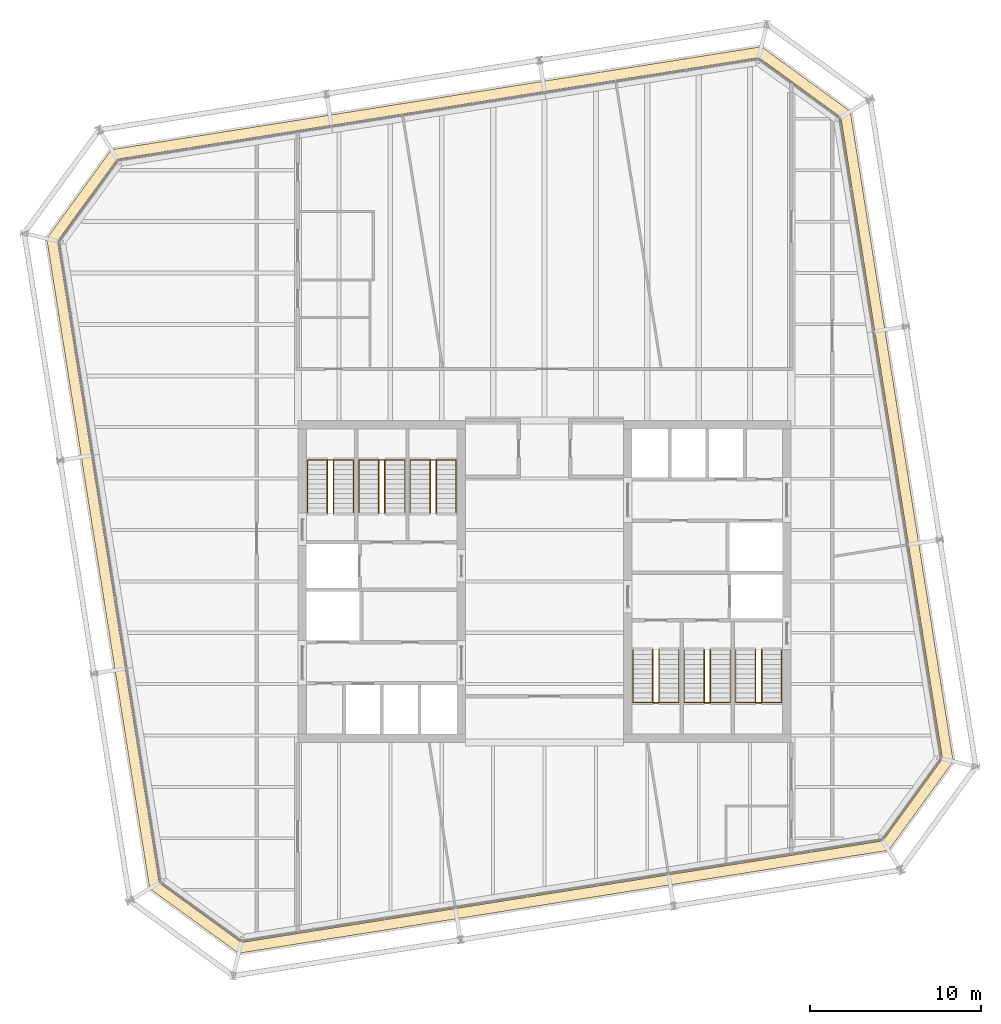
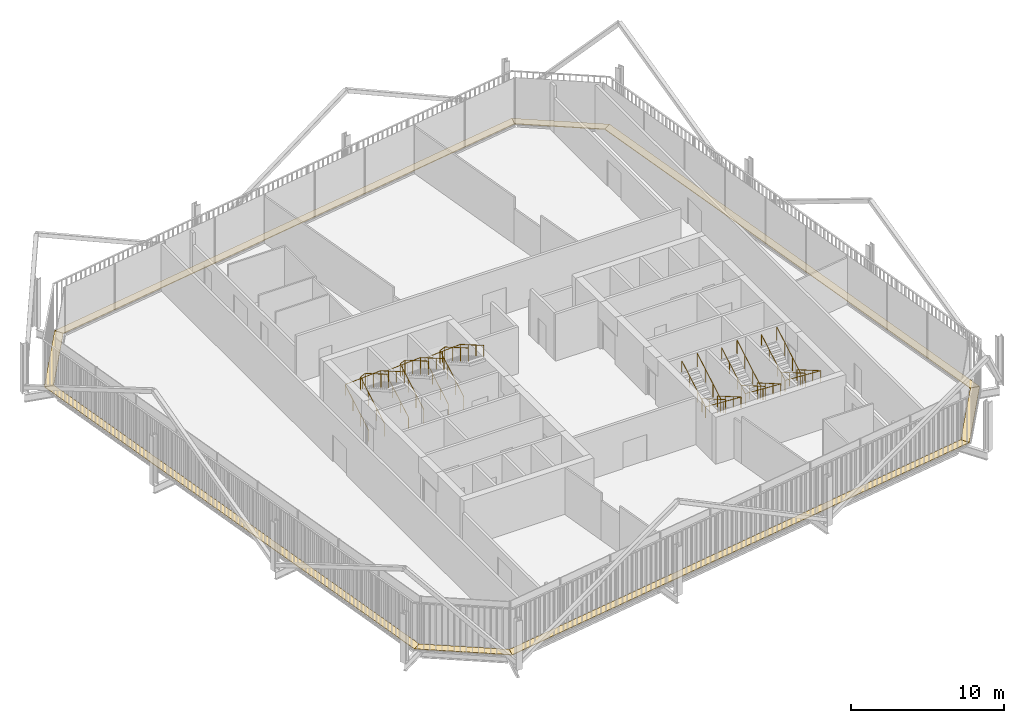
# One storey, part 21 of 21: 12 railings, 8 coverings.
"""IFC4 building model written with IfcOpenShell, lengths in metres."""

from ifc_helpers import new_model, si_unit, direction, frame, origin, origin_2d, place, context, subcontext, project, spatial, polyline, circle, outline, extrude, material, layer, layer_set, type_object, element, save


model = new_model("IFC4")

# Units and contexts
model_context = context("Model", 3, precision=1e-05, world=origin(), true_north=direction((0.0, 1.0)))
body_context = subcontext(model_context, "Body", "Model", "MODEL_VIEW")
ifc_project = project(units=[si_unit("LENGTHUNIT", "METRE"), si_unit("AREAUNIT", "SQUARE_METRE"), si_unit("VOLUMEUNIT", "CUBIC_METRE"), si_unit("PLANEANGLEUNIT", "RADIAN"), si_unit("MASSUNIT", "GRAM", prefix="KILO")], contexts=[model_context])

# Site, building, storey
site_placement = place(None, origin())
site = spatial("IfcSite", under=ifc_project, at=site_placement, CompositionType="ELEMENT")
building_placement = place(site_placement, origin())
building = spatial("IfcBuilding", under=site, at=building_placement, Name="Millrace Tower", CompositionType="ELEMENT")
storey_placement = place(building_placement, frame((0.0, 0.0, 228.10009765625)))
storey = spatial("IfcBuildingStorey", under=building, at=storey_placement, Name="L52", CompositionType="ELEMENT", Elevation=228.10009765625)

# Coverings
ifc_material_1 = material(Name="Steel ASTM A36", Category="steel")
ifc_layer = layer(ifc_material_1, 0.050048828125)
ifc_layer_set = layer_set([ifc_layer], Name="Steel ASTM A36")
covering_type = type_object("IfcCoveringType", Name="CAVITY CATWALK steel grating", PredefinedType="FLOORING", material=ifc_layer_set)
placement = place(storey_placement, frame((0.0, 0.0, 0.099853515625)))
element("IfcCovering", 1, at=placement, inside=storey, type_object=covering_type, Name="Cavity catwalk grating D-F01 L52 1", PredefinedType="FLOORING", context=body_context, shape_type="SweptSolid", body=[
    extrude(outline(polyline([(-23.052490234375, -17.939453125), (-17.85888671875, -21.712890625), (-17.707275390625, -21.081298828125), (-22.49853515625, -17.60009765625), (-23.052490234375, -17.939453125)])), origin(), (0.0, 0.0, 1.0), 0.050048828125),
])
element("IfcCovering", 2, at=placement, inside=storey, type_object=covering_type, Name="Cavity catwalk grating D-F02 L52 1", PredefinedType="FLOORING", context=body_context, shape_type="SweptSolid", body=[
    extrude(outline(polyline([(-17.85888671875, -21.712890625), (20.08935546875, -15.702392578125), (19.750244140625, -15.148681640625), (-17.707275390625, -21.081298828125), (-17.85888671875, -21.712890625)])), origin(), (0.0, 0.0, 1.0), 0.050048828125),
])
element("IfcCovering", 3, at=placement, inside=storey, type_object=covering_type, Name="Cavity catwalk grating D-F03 L52 1", PredefinedType="FLOORING", context=body_context, shape_type="SweptSolid", body=[
    extrude(outline(polyline([(20.08935546875, -15.702392578125), (23.86279296875, -10.5087890625), (23.231201171875, -10.357177734375), (19.750244140625, -15.148681640625), (20.08935546875, -15.702392578125)])), origin(), (0.0, 0.0, 1.0), 0.050048828125),
])
element("IfcCovering", 4, at=placement, inside=storey, type_object=covering_type, Name="Cavity catwalk grating D-F04 L52 1", PredefinedType="FLOORING", context=body_context, shape_type="SweptSolid", body=[
    extrude(outline(polyline([(23.86279296875, -10.5087890625), (17.852294921875, 27.439453125), (17.298583984375, 27.10009765625), (23.231201171875, -10.357177734375), (23.86279296875, -10.5087890625)])), origin(), (0.0, 0.0, 1.0), 0.050048828125),
])
element("IfcCovering", 5, at=placement, inside=storey, type_object=covering_type, Name="Cavity catwalk grating D-F05 L52 1", PredefinedType="FLOORING", context=body_context, shape_type="SweptSolid", body=[
    extrude(outline(polyline([(17.852294921875, 27.439453125), (12.658935546875, 31.212890625), (12.50732421875, 30.581298828125), (17.298583984375, 27.10009765625), (17.852294921875, 27.439453125)])), origin(), (0.0, 0.0, 1.0), 0.050048828125),
])
element("IfcCovering", 6, at=placement, inside=storey, type_object=covering_type, Name="Cavity catwalk grating D-F06 L52 1", PredefinedType="FLOORING", context=body_context, shape_type="SweptSolid", body=[
    extrude(outline(polyline([(12.658935546875, 31.212890625), (-25.28955078125, 25.202392578125), (-24.9501953125, 24.648681640625), (12.50732421875, 30.581298828125), (12.658935546875, 31.212890625)])), origin(), (0.0, 0.0, 1.0), 0.050048828125),
])
element("IfcCovering", 7, at=placement, inside=storey, type_object=covering_type, Name="Cavity catwalk grating D-F07 L52 1", PredefinedType="FLOORING", context=body_context, shape_type="SweptSolid", body=[
    extrude(outline(polyline([(-25.28955078125, 25.202392578125), (-29.062744140625, 20.0087890625), (-28.431396484375, 19.857177734375), (-24.9501953125, 24.648681640625), (-25.28955078125, 25.202392578125)])), origin(), (0.0, 0.0, 1.0), 0.050048828125),
])
element("IfcCovering", 8, at=placement, inside=storey, type_object=covering_type, Name="Cavity catwalk grating D-F08 L52 1", PredefinedType="FLOORING", context=body_context, shape_type="SweptSolid", body=[
    extrude(outline(polyline([(-29.062744140625, 20.0087890625), (-23.052490234375, -17.939453125), (-22.49853515625, -17.60009765625), (-28.431396484375, 19.857177734375), (-29.062744140625, 20.0087890625)])), origin(), (0.0, 0.0, 1.0), 0.050048828125),
])

# Railings
ifc_material_2 = material(Name="Stainless steel ASTM A240 type 316", Category="steel")
railing_type_1 = type_object("IfcRailingType", Name="Stair guard 1100", PredefinedType="GUARDRAIL", material=ifc_material_2)
for number, where, name in (
    (9, (-12.679931640625, 4.0, 0.162353515625), "Stair guard 1 W L52"),
    (10, (-9.679931640625, 4.0, 0.162353515625), "Stair guard 2 W L52"),
    (11, (-6.679931640625, 4.0, 0.162353515625), "Stair guard 3 W L52"),
):
    element("IfcRailing", number, at=place(storey_placement, frame(where)), inside=storey, type_object=railing_type_1, Name=name, PredefinedType="GUARDRAIL", context=body_context, shape_type="SweptSolid", body=[
        extrude(circle(Radius=0.02392578125, at=origin_2d()), frame((0.0, 0.0, 1.076171875), z_axis=(0.0, 0.864890721111, 0.501960198159), x_axis=(-1.0, 0.0, 0.0)), (0.0, 0.0, 1.0), 3.561279296875),
        extrude(circle(Radius=0.02392578125, at=origin_2d()), frame((0.0, 3.080078125, 2.86376953125), z_axis=(0.91152767309, 0.0, 0.411238739895), x_axis=(0.0, 1.0, 0.0)), (0.0, 0.0, 1.0), 0.394775390625),
        extrude(circle(Radius=0.02392578125, at=origin_2d()), frame((0.35986328125, 3.080078125, 3.02587890625), z_axis=(0.0, -0.864890721111, 0.501960198159), x_axis=(1.0, 0.0, 0.0)), (0.0, 0.0, 1.0), 3.561279296875),
        extrude(circle(Radius=0.02099609375, at=origin_2d()), origin(), (0.0, 0.0, 1.0), 1.052001953125),
        extrude(circle(Radius=0.02099609375, at=origin_2d()), frame((0.0, 1.026611328125, 0.595947265625)), (0.0, 0.0, 1.0), 1.052001953125),
        extrude(circle(Radius=0.02099609375, at=origin_2d()), frame((0.0, 2.053466796875, 1.191650390625)), (0.0, 0.0, 1.0), 1.052001953125),
        extrude(circle(Radius=0.02099609375, at=origin_2d()), frame((0.0, 3.080078125, 1.78759765625)), (0.0, 0.0, 1.0), 1.052001953125),
        extrude(circle(Radius=0.02099609375, at=origin_2d()), frame((0.35986328125, 3.080078125, 1.949951171875)), (0.0, 0.0, 1.0), 1.052001953125),
        extrude(circle(Radius=0.02099609375, at=origin_2d()), frame((0.35986328125, 2.053466796875, 2.5458984375)), (0.0, 0.0, 1.0), 1.052001953125),
        extrude(circle(Radius=0.02099609375, at=origin_2d()), frame((0.35986328125, 1.026611328125, 3.1416015625)), (0.0, 0.0, 1.0), 1.052001953125),
        extrude(circle(Radius=0.02099609375, at=origin_2d()), frame((0.35986328125, 0.0, 3.737548828125)), (0.0, 0.0, 1.0), 1.052001953125),
    ])
for number, where, name in (
    (12, (12.679931640625, -4.0, 0.162353515625), "Stair guard 1 E L52"),
    (13, (9.679931640625, -4.0, 0.162353515625), "Stair guard 2 E L52"),
    (14, (6.679931640625, -4.0, 0.162353515625), "Stair guard 3 E L52"),
):
    element("IfcRailing", number, at=place(storey_placement, frame(where)), inside=storey, type_object=railing_type_1, Name=name, PredefinedType="GUARDRAIL", context=body_context, shape_type="SweptSolid", body=[
        extrude(circle(Radius=0.02392578125, at=origin_2d()), frame((0.0, 0.0, 1.076171875), z_axis=(0.0, -0.864890721111, 0.501960198159), x_axis=(1.0, 0.0, 0.0)), (0.0, 0.0, 1.0), 3.561279296875),
        extrude(circle(Radius=0.02392578125, at=origin_2d()), frame((0.0, -3.080078125, 2.86376953125), z_axis=(-0.91152767309, 0.0, 0.411238739895), x_axis=(0.0, -1.0, 0.0)), (0.0, 0.0, 1.0), 0.394775390625),
        extrude(circle(Radius=0.02392578125, at=origin_2d()), frame((-0.35986328125, -3.080078125, 3.02587890625), z_axis=(0.0, 0.864890721111, 0.501960198159), x_axis=(-1.0, 0.0, 0.0)), (0.0, 0.0, 1.0), 3.561279296875),
        extrude(circle(Radius=0.02099609375, at=origin_2d()), origin(), (0.0, 0.0, 1.0), 1.052001953125),
        extrude(circle(Radius=0.02099609375, at=origin_2d()), frame((0.0, -1.026611328125, 0.595947265625)), (0.0, 0.0, 1.0), 1.052001953125),
        extrude(circle(Radius=0.02099609375, at=origin_2d()), frame((0.0, -2.053466796875, 1.191650390625)), (0.0, 0.0, 1.0), 1.052001953125),
        extrude(circle(Radius=0.02099609375, at=origin_2d()), frame((0.0, -3.080078125, 1.78759765625)), (0.0, 0.0, 1.0), 1.052001953125),
        extrude(circle(Radius=0.02099609375, at=origin_2d()), frame((-0.35986328125, -3.080078125, 1.949951171875)), (0.0, 0.0, 1.0), 1.052001953125),
        extrude(circle(Radius=0.02099609375, at=origin_2d()), frame((-0.35986328125, -2.053466796875, 2.5458984375)), (0.0, 0.0, 1.0), 1.052001953125),
        extrude(circle(Radius=0.02099609375, at=origin_2d()), frame((-0.35986328125, -1.026611328125, 3.1416015625)), (0.0, 0.0, 1.0), 1.052001953125),
        extrude(circle(Radius=0.02099609375, at=origin_2d()), frame((-0.35986328125, 0.0, 3.737548828125)), (0.0, 0.0, 1.0), 1.052001953125),
    ])
ifc_material_3 = material(Name="Stainless steel ASTM A240 type 316", Category="steel")
railing_type_2 = type_object("IfcRailingType", Name="Stair handrail 900", PredefinedType="HANDRAIL", material=ifc_material_3)
railing_1_placement = place(storey_placement, frame((-13.840087890625, 4.0, 0.162353515625)))
element("IfcRailing", 15, at=railing_1_placement, inside=storey, type_object=railing_type_2, Name="Stair handrail 1 W L52", PredefinedType="HANDRAIL", context=body_context, shape_type="SweptSolid", body=[
    extrude(circle(Radius=0.02392578125, at=origin_2d()), frame((0.0, 0.0, 0.8759765625), z_axis=(0.0, 0.864890721111, 0.501960198159), x_axis=(-1.0, 0.0, 0.0)), (0.0, 0.0, 1.0), 3.561279296875),
    extrude(circle(Radius=0.02392578125, at=origin_2d()), frame((0.0, 3.080078125, 2.66357421875), z_axis=(0.998170326313, 0.0, 0.06046486309), x_axis=(0.0, 1.0, 0.0)), (0.0, 0.0, 1.0), 2.68505859375),
    extrude(circle(Radius=0.02392578125, at=origin_2d()), frame((2.68017578125, 3.080078125, 2.82568359375), z_axis=(0.0, -0.864890721111, 0.501960198159), x_axis=(1.0, 0.0, 0.0)), (0.0, 0.0, 1.0), 3.561279296875),
    extrude(circle(Radius=0.02099609375, at=origin_2d()), origin(), (0.0, 0.0, 1.0), 0.851806640625),
    extrude(circle(Radius=0.02099609375, at=origin_2d()), frame((0.0, 1.026611328125, 0.595947265625)), (0.0, 0.0, 1.0), 0.851806640625),
    extrude(circle(Radius=0.02099609375, at=origin_2d()), frame((0.0, 2.053466796875, 1.191650390625)), (0.0, 0.0, 1.0), 0.851806640625),
    extrude(circle(Radius=0.02099609375, at=origin_2d()), frame((0.0, 3.080078125, 1.78759765625)), (0.0, 0.0, 1.0), 0.851806640625),
    extrude(circle(Radius=0.02099609375, at=origin_2d()), frame((1.340087890625, 3.080078125, 1.86865234375)), (0.0, 0.0, 1.0), 0.851806640625),
    extrude(circle(Radius=0.02099609375, at=origin_2d()), frame((2.68017578125, 3.080078125, 1.949951171875)), (0.0, 0.0, 1.0), 0.851806640625),
    extrude(circle(Radius=0.02099609375, at=origin_2d()), frame((2.68017578125, 2.053466796875, 2.5458984375)), (0.0, 0.0, 1.0), 0.851806640625),
    extrude(circle(Radius=0.02099609375, at=origin_2d()), frame((2.68017578125, 1.026611328125, 3.1416015625)), (0.0, 0.0, 1.0), 0.851806640625),
    extrude(circle(Radius=0.02099609375, at=origin_2d()), frame((2.68017578125, 0.0, 3.737548828125)), (0.0, 0.0, 1.0), 0.851806640625),
])
railing_2_placement = place(storey_placement, frame((-10.840087890625, 4.0, 0.162353515625)))
element("IfcRailing", 16, at=railing_2_placement, inside=storey, type_object=railing_type_2, Name="Stair handrail 2 W L52", PredefinedType="HANDRAIL", context=body_context, shape_type="SweptSolid", body=[
    extrude(circle(Radius=0.02392578125, at=origin_2d()), frame((0.0, 0.0, 0.8759765625), z_axis=(0.0, 0.864890721111, 0.501960198159), x_axis=(-1.0, 0.0, 0.0)), (0.0, 0.0, 1.0), 3.561279296875),
    extrude(circle(Radius=0.02392578125, at=origin_2d()), frame((0.0, 3.080078125, 2.66357421875), z_axis=(0.998170326313, 0.0, 0.06046486309), x_axis=(0.0, 1.0, 0.0)), (0.0, 0.0, 1.0), 2.68505859375),
    extrude(circle(Radius=0.02392578125, at=origin_2d()), frame((2.68017578125, 3.080078125, 2.82568359375), z_axis=(0.0, -0.864890721111, 0.501960198159), x_axis=(1.0, 0.0, 0.0)), (0.0, 0.0, 1.0), 3.561279296875),
    extrude(circle(Radius=0.02099609375, at=origin_2d()), origin(), (0.0, 0.0, 1.0), 0.851806640625),
    extrude(circle(Radius=0.02099609375, at=origin_2d()), frame((0.0, 1.026611328125, 0.595947265625)), (0.0, 0.0, 1.0), 0.851806640625),
    extrude(circle(Radius=0.02099609375, at=origin_2d()), frame((0.0, 2.053466796875, 1.191650390625)), (0.0, 0.0, 1.0), 0.851806640625),
    extrude(circle(Radius=0.02099609375, at=origin_2d()), frame((0.0, 3.080078125, 1.78759765625)), (0.0, 0.0, 1.0), 0.851806640625),
    extrude(circle(Radius=0.02099609375, at=origin_2d()), frame((1.340087890625, 3.080078125, 1.86865234375)), (0.0, 0.0, 1.0), 0.851806640625),
    extrude(circle(Radius=0.02099609375, at=origin_2d()), frame((2.68017578125, 3.080078125, 1.949951171875)), (0.0, 0.0, 1.0), 0.851806640625),
    extrude(circle(Radius=0.02099609375, at=origin_2d()), frame((2.68017578125, 2.053466796875, 2.5458984375)), (0.0, 0.0, 1.0), 0.851806640625),
    extrude(circle(Radius=0.02099609375, at=origin_2d()), frame((2.68017578125, 1.026611328125, 3.1416015625)), (0.0, 0.0, 1.0), 0.851806640625),
    extrude(circle(Radius=0.02099609375, at=origin_2d()), frame((2.68017578125, 0.0, 3.737548828125)), (0.0, 0.0, 1.0), 0.851806640625),
])
railing_3_placement = place(storey_placement, frame((-7.840087890625, 4.0, 0.162353515625)))
element("IfcRailing", 17, at=railing_3_placement, inside=storey, type_object=railing_type_2, Name="Stair handrail 3 W L52", PredefinedType="HANDRAIL", context=body_context, shape_type="SweptSolid", body=[
    extrude(circle(Radius=0.02392578125, at=origin_2d()), frame((0.0, 0.0, 0.8759765625), z_axis=(0.0, 0.864890721111, 0.501960198159), x_axis=(-1.0, 0.0, 0.0)), (0.0, 0.0, 1.0), 3.561279296875),
    extrude(circle(Radius=0.02392578125, at=origin_2d()), frame((0.0, 3.080078125, 2.66357421875), z_axis=(0.998170326313, 0.0, 0.06046486309), x_axis=(0.0, 1.0, 0.0)), (0.0, 0.0, 1.0), 2.68505859375),
    extrude(circle(Radius=0.02392578125, at=origin_2d()), frame((2.68017578125, 3.080078125, 2.82568359375), z_axis=(0.0, -0.864890721111, 0.501960198159), x_axis=(1.0, 0.0, 0.0)), (0.0, 0.0, 1.0), 3.561279296875),
    extrude(circle(Radius=0.02099609375, at=origin_2d()), origin(), (0.0, 0.0, 1.0), 0.851806640625),
    extrude(circle(Radius=0.02099609375, at=origin_2d()), frame((0.0, 1.026611328125, 0.595947265625)), (0.0, 0.0, 1.0), 0.851806640625),
    extrude(circle(Radius=0.02099609375, at=origin_2d()), frame((0.0, 2.053466796875, 1.191650390625)), (0.0, 0.0, 1.0), 0.851806640625),
    extrude(circle(Radius=0.02099609375, at=origin_2d()), frame((0.0, 3.080078125, 1.78759765625)), (0.0, 0.0, 1.0), 0.851806640625),
    extrude(circle(Radius=0.02099609375, at=origin_2d()), frame((1.340087890625, 3.080078125, 1.86865234375)), (0.0, 0.0, 1.0), 0.851806640625),
    extrude(circle(Radius=0.02099609375, at=origin_2d()), frame((2.68017578125, 3.080078125, 1.949951171875)), (0.0, 0.0, 1.0), 0.851806640625),
    extrude(circle(Radius=0.02099609375, at=origin_2d()), frame((2.68017578125, 2.053466796875, 2.5458984375)), (0.0, 0.0, 1.0), 0.851806640625),
    extrude(circle(Radius=0.02099609375, at=origin_2d()), frame((2.68017578125, 1.026611328125, 3.1416015625)), (0.0, 0.0, 1.0), 0.851806640625),
    extrude(circle(Radius=0.02099609375, at=origin_2d()), frame((2.68017578125, 0.0, 3.737548828125)), (0.0, 0.0, 1.0), 0.851806640625),
])
railing_4_placement = place(storey_placement, frame((13.840087890625, -4.0, 0.162353515625)))
element("IfcRailing", 18, at=railing_4_placement, inside=storey, type_object=railing_type_2, Name="Stair handrail 1 E L52", PredefinedType="HANDRAIL", context=body_context, shape_type="SweptSolid", body=[
    extrude(circle(Radius=0.02392578125, at=origin_2d()), frame((0.0, 0.0, 0.8759765625), z_axis=(0.0, -0.864890721111, 0.501960198159), x_axis=(1.0, 0.0, 0.0)), (0.0, 0.0, 1.0), 3.561279296875),
    extrude(circle(Radius=0.02392578125, at=origin_2d()), frame((0.0, -3.080078125, 2.66357421875), z_axis=(-0.998170326313, 0.0, 0.06046486309), x_axis=(0.0, -1.0, 0.0)), (0.0, 0.0, 1.0), 2.68505859375),
    extrude(circle(Radius=0.02392578125, at=origin_2d()), frame((-2.68017578125, -3.080078125, 2.82568359375), z_axis=(0.0, 0.864890721111, 0.501960198159), x_axis=(-1.0, 0.0, 0.0)), (0.0, 0.0, 1.0), 3.561279296875),
    extrude(circle(Radius=0.02099609375, at=origin_2d()), origin(), (0.0, 0.0, 1.0), 0.851806640625),
    extrude(circle(Radius=0.02099609375, at=origin_2d()), frame((0.0, -1.026611328125, 0.595947265625)), (0.0, 0.0, 1.0), 0.851806640625),
    extrude(circle(Radius=0.02099609375, at=origin_2d()), frame((0.0, -2.053466796875, 1.191650390625)), (0.0, 0.0, 1.0), 0.851806640625),
    extrude(circle(Radius=0.02099609375, at=origin_2d()), frame((0.0, -3.080078125, 1.78759765625)), (0.0, 0.0, 1.0), 0.851806640625),
    extrude(circle(Radius=0.02099609375, at=origin_2d()), frame((-1.340087890625, -3.080078125, 1.86865234375)), (0.0, 0.0, 1.0), 0.851806640625),
    extrude(circle(Radius=0.02099609375, at=origin_2d()), frame((-2.68017578125, -3.080078125, 1.949951171875)), (0.0, 0.0, 1.0), 0.851806640625),
    extrude(circle(Radius=0.02099609375, at=origin_2d()), frame((-2.68017578125, -2.053466796875, 2.5458984375)), (0.0, 0.0, 1.0), 0.851806640625),
    extrude(circle(Radius=0.02099609375, at=origin_2d()), frame((-2.68017578125, -1.026611328125, 3.1416015625)), (0.0, 0.0, 1.0), 0.851806640625),
    extrude(circle(Radius=0.02099609375, at=origin_2d()), frame((-2.68017578125, 0.0, 3.737548828125)), (0.0, 0.0, 1.0), 0.851806640625),
])
railing_5_placement = place(storey_placement, frame((10.840087890625, -4.0, 0.162353515625)))
element("IfcRailing", 19, at=railing_5_placement, inside=storey, type_object=railing_type_2, Name="Stair handrail 2 E L52", PredefinedType="HANDRAIL", context=body_context, shape_type="SweptSolid", body=[
    extrude(circle(Radius=0.02392578125, at=origin_2d()), frame((0.0, 0.0, 0.8759765625), z_axis=(0.0, -0.864890721111, 0.501960198159), x_axis=(1.0, 0.0, 0.0)), (0.0, 0.0, 1.0), 3.561279296875),
    extrude(circle(Radius=0.02392578125, at=origin_2d()), frame((0.0, -3.080078125, 2.66357421875), z_axis=(-0.998170326313, 0.0, 0.06046486309), x_axis=(0.0, -1.0, 0.0)), (0.0, 0.0, 1.0), 2.68505859375),
    extrude(circle(Radius=0.02392578125, at=origin_2d()), frame((-2.68017578125, -3.080078125, 2.82568359375), z_axis=(0.0, 0.864890721111, 0.501960198159), x_axis=(-1.0, 0.0, 0.0)), (0.0, 0.0, 1.0), 3.561279296875),
    extrude(circle(Radius=0.02099609375, at=origin_2d()), origin(), (0.0, 0.0, 1.0), 0.851806640625),
    extrude(circle(Radius=0.02099609375, at=origin_2d()), frame((0.0, -1.026611328125, 0.595947265625)), (0.0, 0.0, 1.0), 0.851806640625),
    extrude(circle(Radius=0.02099609375, at=origin_2d()), frame((0.0, -2.053466796875, 1.191650390625)), (0.0, 0.0, 1.0), 0.851806640625),
    extrude(circle(Radius=0.02099609375, at=origin_2d()), frame((0.0, -3.080078125, 1.78759765625)), (0.0, 0.0, 1.0), 0.851806640625),
    extrude(circle(Radius=0.02099609375, at=origin_2d()), frame((-1.340087890625, -3.080078125, 1.86865234375)), (0.0, 0.0, 1.0), 0.851806640625),
    extrude(circle(Radius=0.02099609375, at=origin_2d()), frame((-2.68017578125, -3.080078125, 1.949951171875)), (0.0, 0.0, 1.0), 0.851806640625),
    extrude(circle(Radius=0.02099609375, at=origin_2d()), frame((-2.68017578125, -2.053466796875, 2.5458984375)), (0.0, 0.0, 1.0), 0.851806640625),
    extrude(circle(Radius=0.02099609375, at=origin_2d()), frame((-2.68017578125, -1.026611328125, 3.1416015625)), (0.0, 0.0, 1.0), 0.851806640625),
    extrude(circle(Radius=0.02099609375, at=origin_2d()), frame((-2.68017578125, 0.0, 3.737548828125)), (0.0, 0.0, 1.0), 0.851806640625),
])
railing_6_placement = place(storey_placement, frame((7.840087890625, -4.0, 0.162353515625)))
element("IfcRailing", 20, at=railing_6_placement, inside=storey, type_object=railing_type_2, Name="Stair handrail 3 E L52", PredefinedType="HANDRAIL", context=body_context, shape_type="SweptSolid", body=[
    extrude(circle(Radius=0.02392578125, at=origin_2d()), frame((0.0, 0.0, 0.8759765625), z_axis=(0.0, -0.864890721111, 0.501960198159), x_axis=(1.0, 0.0, 0.0)), (0.0, 0.0, 1.0), 3.561279296875),
    extrude(circle(Radius=0.02392578125, at=origin_2d()), frame((0.0, -3.080078125, 2.66357421875), z_axis=(-0.998170326313, 0.0, 0.06046486309), x_axis=(0.0, -1.0, 0.0)), (0.0, 0.0, 1.0), 2.68505859375),
    extrude(circle(Radius=0.02392578125, at=origin_2d()), frame((-2.68017578125, -3.080078125, 2.82568359375), z_axis=(0.0, 0.864890721111, 0.501960198159), x_axis=(-1.0, 0.0, 0.0)), (0.0, 0.0, 1.0), 3.561279296875),
    extrude(circle(Radius=0.02099609375, at=origin_2d()), origin(), (0.0, 0.0, 1.0), 0.851806640625),
    extrude(circle(Radius=0.02099609375, at=origin_2d()), frame((0.0, -1.026611328125, 0.595947265625)), (0.0, 0.0, 1.0), 0.851806640625),
    extrude(circle(Radius=0.02099609375, at=origin_2d()), frame((0.0, -2.053466796875, 1.191650390625)), (0.0, 0.0, 1.0), 0.851806640625),
    extrude(circle(Radius=0.02099609375, at=origin_2d()), frame((0.0, -3.080078125, 1.78759765625)), (0.0, 0.0, 1.0), 0.851806640625),
    extrude(circle(Radius=0.02099609375, at=origin_2d()), frame((-1.340087890625, -3.080078125, 1.86865234375)), (0.0, 0.0, 1.0), 0.851806640625),
    extrude(circle(Radius=0.02099609375, at=origin_2d()), frame((-2.68017578125, -3.080078125, 1.949951171875)), (0.0, 0.0, 1.0), 0.851806640625),
    extrude(circle(Radius=0.02099609375, at=origin_2d()), frame((-2.68017578125, -2.053466796875, 2.5458984375)), (0.0, 0.0, 1.0), 0.851806640625),
    extrude(circle(Radius=0.02099609375, at=origin_2d()), frame((-2.68017578125, -1.026611328125, 3.1416015625)), (0.0, 0.0, 1.0), 0.851806640625),
    extrude(circle(Radius=0.02099609375, at=origin_2d()), frame((-2.68017578125, 0.0, 3.737548828125)), (0.0, 0.0, 1.0), 0.851806640625),
])

save(model, "model.ifc")
